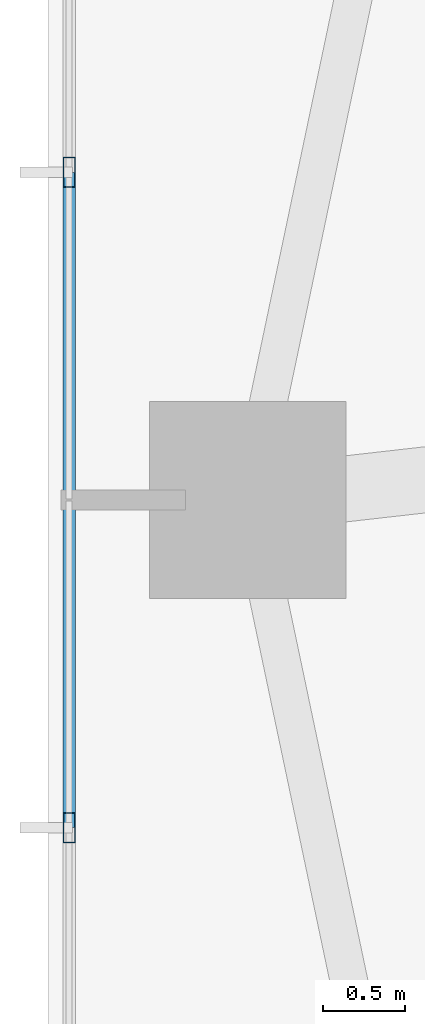
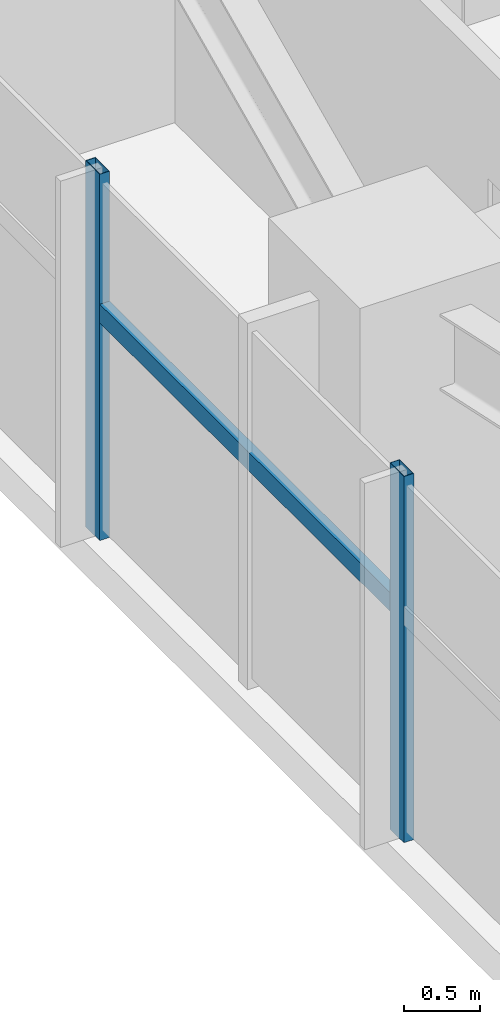
# One storey, part 4 of 25: 3 members, 1 element without a shape of its own.
"""IFC4 building model written with IfcOpenShell, lengths in metres."""

import ifcopenshell
import ifcopenshell.guid

model = None  # the IFC model being written
_history = None  # IfcOwnerHistory: only IFC2X3 demands one
_inside = {}  # id of a spatial element -> (the spatial element, [elements in it])
_under = {}  # id of a project, library or spatial element -> (it, [spatial elements below it])
_declared = {}  # id of a project -> (the project, [libraries it declares])
_typed = {}  # id of a type object -> (the type object, [elements of that type])
_made_of = {}  # id of a material, layer set ... -> (it, [elements and type objects made of it])


def new_model(schema):
    """Start an empty IFC model of exactly this schema.

    Asked for "IFC4X3", IfcOpenShell would pick the latest addendum, in which some entities
    have other attributes; the version numbers below select the first issue.
    IFC2X3 requires an IfcOwnerHistory on every rooted entity: one is made here for all.
    """
    global model, _history
    if schema == "IFC4X3":
        model = ifcopenshell.file(schema_version=(4, 3, 0, 0))
    else:
        model = ifcopenshell.file(schema=schema)
    _inside.clear()
    _under.clear()
    _declared.clear()
    _typed.clear()
    _made_of.clear()
    _history = None
    if model.schema == "IFC2X3":
        org = make("IfcOrganization", Name="unknown")
        user = make(
            "IfcPersonAndOrganization",
            ThePerson=make("IfcPerson", FamilyName="unknown"),
            TheOrganization=org,
        )
        app = make(
            "IfcApplication",
            ApplicationDeveloper=org,
            Version="unknown",
            ApplicationFullName="unknown",
            ApplicationIdentifier="unknown",
        )
        _history = make(
            "IfcOwnerHistory",
            OwningUser=user,
            OwningApplication=app,
            ChangeAction="ADDED",
            CreationDate=0,
        )
    return model


def make(cls, **values):
    """One entity of the class cls with the attributes given. An attribute that is None is left unset."""
    return model.create_entity(
        cls, **{name: value for name, value in values.items() if value is not None}
    )


def rooted(cls, **values):
    """An entity with a GlobalId (a new one), such as an element, a storey or a relation."""
    return make(cls, GlobalId=ifcopenshell.guid.new(), OwnerHistory=_history, **values)


def si_unit(unit_type, name, prefix=None):
    """IfcSIUnit, for example si_unit("LENGTHUNIT", "METRE", prefix="MILLI")."""
    return make("IfcSIUnit", UnitType=unit_type, Prefix=prefix, Name=name)


def assignment(units):
    """IfcUnitAssignment: the units of a project."""
    return None if units is None else make("IfcUnitAssignment", Units=units)


def point(xyz):
    """IfcCartesianPoint."""
    return None if xyz is None else make("IfcCartesianPoint", Coordinates=xyz)


def direction(xyz):
    """IfcDirection."""
    return None if xyz is None else make("IfcDirection", DirectionRatios=xyz)


def frame(location, z_axis=None, x_axis=None):
    """IfcAxis2Placement3D, a coordinate frame: its origin and axes. An axis left out is left unset."""
    return make(
        "IfcAxis2Placement3D",
        Location=point(location),
        Axis=direction(z_axis),
        RefDirection=direction(x_axis),
    )


def frame_2d(location, x_axis=None):
    """IfcAxis2Placement2D, a coordinate frame in the plane: its origin and x axis."""
    return make(
        "IfcAxis2Placement2D", Location=point(location), RefDirection=direction(x_axis)
    )


def origin():
    """The frame at (0, 0, 0) with its axes left unset."""
    return frame((0.0, 0.0, 0.0))


def origin_2d():
    """The frame at (0, 0) in the plane with its x axis left unset."""
    return frame_2d((0.0, 0.0))


def place(relative_to, where):
    """IfcLocalPlacement: puts the frame where relative to a parent placement (None: the world)."""
    return make(
        "IfcLocalPlacement", PlacementRelTo=relative_to, RelativePlacement=where
    )


def context(
    kind, dimensions, precision=None, world=None, true_north=None, identifier=None
):
    """IfcGeometricRepresentationContext, for example the 3D "Model" context."""
    return make(
        "IfcGeometricRepresentationContext",
        ContextIdentifier=identifier,
        ContextType=kind,
        CoordinateSpaceDimension=dimensions,
        Precision=precision,
        WorldCoordinateSystem=world,
        TrueNorth=true_north,
    )


def subcontext(parent, identifier, kind, view, scale=None):
    """IfcGeometricRepresentationSubContext, for example "Body" below "Model"."""
    return make(
        "IfcGeometricRepresentationSubContext",
        ContextIdentifier=identifier,
        ContextType=kind,
        ParentContext=parent,
        TargetScale=scale,
        TargetView=view,
    )


def project(units=None, contexts=None):
    """IfcProject with its units and contexts."""
    return rooted(
        "IfcProject",
        Name="project",
        RepresentationContexts=contexts,
        UnitsInContext=assignment(units),
    )


def spatial(cls, under=None, at=None, **own):
    """A site, building, storey or space (cls), placed at a placement, below another one or the project."""
    s = rooted(cls, ObjectPlacement=at, **own)
    if under is not None:
        _under.setdefault(under.id(), (under, []))[1].append(s)
    return s


def profile(cls, at=None, kind="AREA", **sizes):
    """A parametric profile (cls). Its sizes go by their IFC names, for example OverallWidth=200.0."""
    return make(cls, ProfileType=kind, Position=at, **sizes)


def hollow_rectangle(**sizes):
    """IfcRectangleHollowProfileDef."""
    return profile("IfcRectangleHollowProfileDef", **sizes)


def extrude(swept, where, along, depth):
    """IfcExtrudedAreaSolid: the profile swept, set in the frame where, extruded along a direction by depth."""
    return make(
        "IfcExtrudedAreaSolid",
        SweptArea=swept,
        Position=where,
        ExtrudedDirection=direction(along),
        Depth=depth,
    )


def shape(context_of_items, identifier, shape_type, items):
    """IfcShapeRepresentation: the items that make up one representation, for example the "Body"."""
    return make(
        "IfcShapeRepresentation",
        ContextOfItems=context_of_items,
        RepresentationIdentifier=identifier,
        RepresentationType=shape_type,
        Items=items,
    )


def source(mapping_origin, context_of_items, identifier, shape_type, items):
    """IfcRepresentationMap: a shape defined once, which mapped items show again and again."""
    return make(
        "IfcRepresentationMap",
        MappingOrigin=mapping_origin,
        MappedRepresentation=shape(context_of_items, identifier, shape_type, items),
    )


def transform(
    local_origin,
    x_axis=None,
    y_axis=None,
    z_axis=None,
    scale=None,
    scale2=None,
    scale3=None,
    uniform=True,
):
    """IfcCartesianTransformationOperator3D, or its non-uniform kind. x_axis, y_axis, z_axis: its Axis1, 2, 3."""
    if uniform:
        return make(
            "IfcCartesianTransformationOperator3D",
            Axis1=direction(x_axis),
            Axis2=direction(y_axis),
            LocalOrigin=point(local_origin),
            Scale=scale,
            Axis3=direction(z_axis),
        )
    return make(
        "IfcCartesianTransformationOperator3DnonUniform",
        Axis1=direction(x_axis),
        Axis2=direction(y_axis),
        LocalOrigin=point(local_origin),
        Scale=scale,
        Axis3=direction(z_axis),
        Scale2=scale2,
        Scale3=scale3,
    )


def mapped(mapping_source, mapping_target):
    """IfcMappedItem: shows the shape of a source again, moved by a transform."""
    return make(
        "IfcMappedItem", MappingSource=mapping_source, MappingTarget=mapping_target
    )


def material(Name=None, Category=None):
    """IfcMaterial."""
    return make("IfcMaterial", Name=Name, Category=Category)


def material_profile(
    of_material, cross_section, Name=None, Category=None, Priority=None
):
    """IfcMaterialProfile: a cross section and its material."""
    return make(
        "IfcMaterialProfile",
        Name=Name,
        Material=of_material,
        Profile=cross_section,
        Priority=Priority,
        Category=Category,
    )


def profile_set(profiles, Name=None, composite=None):
    """IfcMaterialProfileSet."""
    return make(
        "IfcMaterialProfileSet",
        Name=Name,
        MaterialProfiles=profiles,
        CompositeProfile=composite,
    )


def made_of(thing, what):
    """Note that an element or type object is made of a material, layer set ...; save() writes the relation."""
    if what is not None:
        _made_of.setdefault(what.id(), (what, []))[1].append(thing)
    return thing


def type_object(cls, material=None, **own):
    """A type object (cls), such as IfcWallType, which elements share."""
    return made_of(rooted(cls, **own), material)


def type_shapes(of_type, sources):
    """Give a type object the sources (RepresentationMaps) that its elements show as mapped items."""
    of_type.RepresentationMaps = sources


def element(
    cls,
    number,
    at=None,
    inside=None,
    cuts=None,
    type_object=None,
    material=None,
    context=None,
    identifier="Body",
    shape_type=None,
    held_by="IfcProductDefinitionShape",
    body=None,
    shapes=None,
    **own,
):
    """One element of the class cls, such as IfcWall. Its Tag is "e" and its number.

    at: its placement. inside: the storey or other place that contains it. cuts: it is an
    opening in that element (IfcRelVoidsElement). A single representation is given by context,
    identifier, shape_type and body (its items); several are given by shapes. held_by: the class
    of the entity that holds the representations. save() writes the other relations.
    """
    e = rooted(cls, Tag="e%d" % number, ObjectPlacement=at, **own)
    if body is not None:
        shapes = [shape(context, identifier, shape_type, body)]
    if shapes is not None:
        e.Representation = make(held_by, Representations=shapes)
    if inside is not None:
        _inside.setdefault(inside.id(), (inside, []))[1].append(e)
    if cuts is not None:
        rooted(
            "IfcRelVoidsElement", RelatingBuildingElement=cuts, RelatedOpeningElement=e
        )
    if type_object is not None:
        _typed.setdefault(type_object.id(), (type_object, []))[1].append(e)
    return made_of(e, material)


def aggregate(whole, parts):
    """IfcRelAggregates: a whole, such as a stair, and the parts it consists of."""
    return rooted("IfcRelAggregates", RelatingObject=whole, RelatedObjects=parts)


def save(model, path):
    """Write the relations noted so far, then the file.

    IfcRelAggregates (storeys below a building ...), IfcRelContainedInSpatialStructure (elements
    in a storey), IfcRelDefinesByType, IfcRelAssociatesMaterial and IfcRelDeclares: one each for
    every whole, place, type object, material and project.
    """
    for whole, parts in _under.values():
        aggregate(whole, parts)
    for where, things in _inside.values():
        rooted(
            "IfcRelContainedInSpatialStructure",
            RelatedElements=things,
            RelatingStructure=where,
        )
    for kind, things in _typed.values():
        rooted("IfcRelDefinesByType", RelatedObjects=things, RelatingType=kind)
    for what, things in _made_of.values():
        rooted("IfcRelAssociatesMaterial", RelatedObjects=things, RelatingMaterial=what)
    for by, libraries in _declared.values():
        rooted("IfcRelDeclares", RelatingContext=by, RelatedDefinitions=libraries)
    model.write(path)


model = new_model("IFC4")

# Units and contexts
model_context = context("Model", 3, precision=1e-05, world=origin(), true_north=direction((0.0, 1.0)))
body_context = subcontext(model_context, "Body", "Model", "MODEL_VIEW")
ifc_project = project(units=[si_unit("LENGTHUNIT", "METRE"), si_unit("AREAUNIT", "SQUARE_METRE"), si_unit("VOLUMEUNIT", "CUBIC_METRE"), si_unit("PLANEANGLEUNIT", "RADIAN"), si_unit("MASSUNIT", "GRAM", prefix="KILO")], contexts=[model_context])

# Site, building, storey
site_placement = place(None, origin())
site = spatial("IfcSite", under=ifc_project, at=site_placement, CompositionType="ELEMENT")
building_placement = place(site_placement, origin())
building = spatial("IfcBuilding", under=site, at=building_placement, Name="Astriad Promenade Condominiums", CompositionType="ELEMENT")
storey_placement = place(building_placement, frame((0.0, 0.0, 48.60009765625)))
storey = spatial("IfcBuildingStorey", under=building, at=storey_placement, Name="L13", CompositionType="ELEMENT", Elevation=48.60009765625)

# Curtain wall, members
ifc_material_1 = material(Name="Anodised aluminium Black Dark Glass Unitised", Category="aluminium")
curtain_wall_type = type_object("IfcCurtainWallType", Name="CW-B1-DARK", PredefinedType="USERDEFINED", material=ifc_material_1)
curtain_wall_placement = place(storey_placement, origin())
curtain_wall = element("IfcCurtainWall", 1, at=curtain_wall_placement, inside=storey, type_object=curtain_wall_type, Name="CW-L13-W", ObjectType="UNITISED_CURTAIN_WALL", PredefinedType="USERDEFINED")
ifc_material_2 = material(Name="Anodised aluminium 6063-T6 Black", Category="aluminium")
ifc_material_profile_1 = material_profile(ifc_material_2, hollow_rectangle(XDim=0.074951171875, YDim=0.18505859375, WallThickness=0.00439453125, at=origin_2d()), Name="ALU-MUL-75X185")
ifc_profile_set_1 = profile_set([ifc_material_profile_1], Name="Anodised aluminium 6063-T6 Black")
member_type_1 = type_object("IfcMemberType", Name="MUL-ALU-MUL-75X185", PredefinedType="MULLION", material=ifc_profile_set_1)
shared_shape_1 = source(origin(), body_context, "Body", "SweptSolid", [
    extrude(hollow_rectangle(XDim=0.074951171875, YDim=0.18505859375, WallThickness=0.00439453125, at=origin_2d()), origin(), (0.0, 0.0, 1.0), 2.93994140625),
])
type_shapes(member_type_1, [shared_shape_1])
member_1_placement = place(storey_placement, frame((5.929931640625, 13.199951171875, 0.0), z_axis=(0.0, 0.0, 1.0), x_axis=(1.0, 0.0, 0.0)))
member_1 = element("IfcMember", 2, at=member_1_placement, type_object=member_type_1, Name="CW-L13-W-MUL-02", PredefinedType="MULLION", context=body_context, shape_type="MappedRepresentation", body=[
    mapped(shared_shape_1, transform((0.0, 0.0, 0.0), scale=1.0)),
])
member_2_placement = place(storey_placement, frame((5.929931640625, 17.199951171875, 0.0), z_axis=(0.0, 0.0, 1.0), x_axis=(1.0, 0.0, 0.0)))
member_2 = element("IfcMember", 3, at=member_2_placement, type_object=member_type_1, Name="CW-L13-W-MUL-03", PredefinedType="MULLION", context=body_context, shape_type="MappedRepresentation", body=[
    mapped(shared_shape_1, transform((0.0, 0.0, 0.0), scale=1.0)),
])
ifc_material_profile_2 = material_profile(ifc_material_2, hollow_rectangle(XDim=0.074951171875, YDim=0.14990234375, WallThickness=0.004150390625, at=origin_2d()), Name="ALU-TRN-75X150")
ifc_profile_set_2 = profile_set([ifc_material_profile_2], Name="Anodised aluminium 6063-T6 Black")
member_type_2 = type_object("IfcMemberType", Name="TRN-ALU-TRN-75X150", PredefinedType="USERDEFINED", material=ifc_profile_set_2)
shared_shape_2 = source(origin(), body_context, "Body", "SweptSolid", [
    extrude(hollow_rectangle(XDim=0.074951171875, YDim=0.14990234375, WallThickness=0.004150390625, at=origin_2d()), origin(), (0.0, 0.0, 1.0), 4.0),
])
type_shapes(member_type_2, [shared_shape_2])
member_3_placement = place(storey_placement, frame((5.929931640625, 13.199951171875, 1.82275390625), z_axis=(0.0, 1.0, 0.0), x_axis=(-1.0, 0.0, 0.0)))
member_3 = element("IfcMember", 4, at=member_3_placement, type_object=member_type_2, Name="CW-L13-W-TRN-02-0", ObjectType="TRANSOM", PredefinedType="USERDEFINED", context=body_context, shape_type="MappedRepresentation", body=[
    mapped(shared_shape_2, transform((0.0, 0.0, 0.0), scale=1.0)),
])
aggregate(curtain_wall, [member_1, member_2, member_3])

save(model, "model.ifc")
